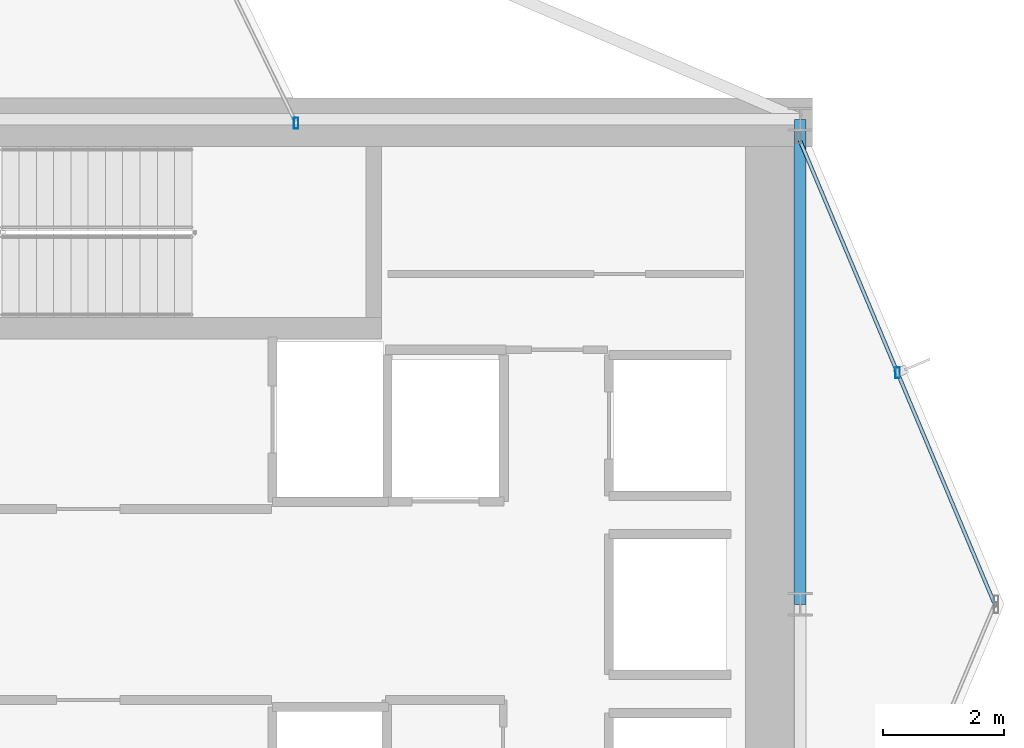
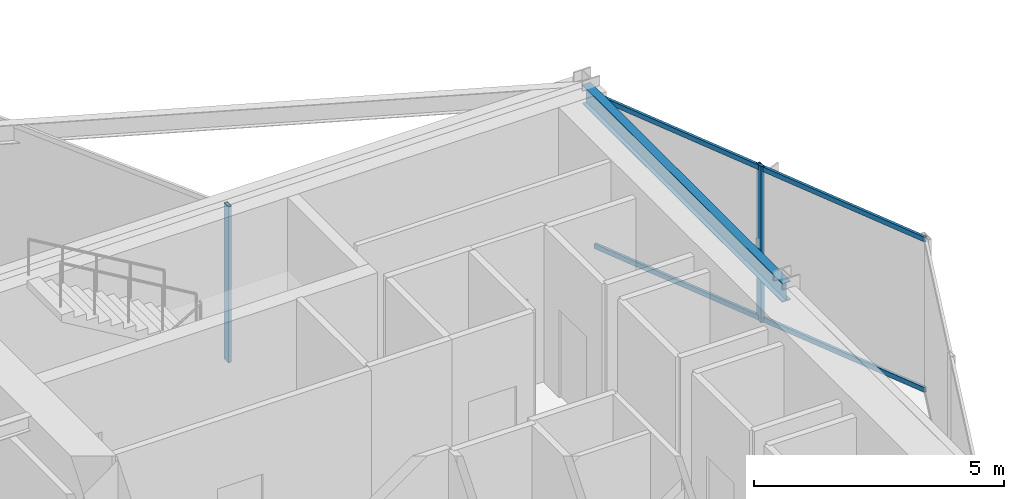
# One storey, part 14 of 25: 4 members, 1 beam, 2 elements without a shape of their own.
"""IFC4 building model written with IfcOpenShell, lengths in metres."""

from ifc_helpers import new_model, si_unit, direction, frame, origin, origin_2d, place, context, subcontext, project, spatial, hollow_rectangle, i_section, extrude, material, layer, layer_set, material_profile, profile_set, type_object, element, aggregate, save


model = new_model("IFC4")

# Units and contexts
model_context = context("Model", 3, precision=1e-05, world=origin(), true_north=direction((0.0, 1.0)))
body_context = subcontext(model_context, "Body", "Model", "MODEL_VIEW")
ifc_project = project(units=[si_unit("LENGTHUNIT", "METRE"), si_unit("AREAUNIT", "SQUARE_METRE"), si_unit("VOLUMEUNIT", "CUBIC_METRE"), si_unit("PLANEANGLEUNIT", "RADIAN"), si_unit("MASSUNIT", "GRAM", prefix="KILO")], contexts=[model_context])

# Site, building, storey
site_placement = place(None, origin())
site = spatial("IfcSite", under=ifc_project, at=site_placement, CompositionType="ELEMENT")
building_placement = place(site_placement, origin())
building = spatial("IfcBuilding", under=site, at=building_placement, Name="Veymaron Broadcast Tower", CompositionType="ELEMENT")
storey_placement = place(building_placement, frame((0.0, 0.0, 116.85009765625)))
storey = spatial("IfcBuildingStorey", under=building, at=storey_placement, Name="L26", CompositionType="ELEMENT", Elevation=116.85009765625)

# Beam
ifc_material_1 = material(Name="Structural steel ASTM A992 Gr 50", Category="steel")
ifc_material_profile_1 = material_profile(ifc_material_1, i_section(OverallWidth=0.19091796875, OverallDepth=0.4599609375, WebThickness=0.010009765625, FlangeThickness=0.01611328125, at=origin_2d()), Name="W460X82")
ifc_profile_set_1 = profile_set([ifc_material_profile_1], Name="Structural steel ASTM A992 Gr 50")
beam_type = type_object("IfcBeamType", Name="BM-SP1", PredefinedType="SPANDREL", material=ifc_profile_set_1)
beam_placement = place(storey_placement, frame((54.60009765625, 24.0, 3.579833984375), z_axis=(0.0, 1.0, 0.0), x_axis=(-1.0, 0.0, 0.0)))
element("IfcBeam", 1, at=beam_placement, inside=storey, type_object=beam_type, Name="L26 primary structural floor girder", PredefinedType="SPANDREL", context=body_context, shape_type="SweptSolid", body=[
    extrude(i_section(OverallWidth=0.19091796875, OverallDepth=0.4599609375, WebThickness=0.010009765625, FlangeThickness=0.01611328125, at=origin_2d()), origin(), (0.0, 0.0, 1.0), 8.0),
])

# Curtain wall, member
ifc_material_2 = material(Name="Anodised aluminium AA 6063-T6 and laminated low-E dark glass", Category="aluminium")
ifc_layer = layer(ifc_material_2, 0.179931640625)
ifc_layer_set = layer_set([ifc_layer], Name="Anodised aluminium AA 6063-T6 and laminated low-E dark glass")
curtain_wall_type = type_object("IfcCurtainWallType", Name="CW-SYS-03", PredefinedType="NOTDEFINED", material=ifc_layer_set)
curtain_wall_1_placement = place(storey_placement, origin())
curtain_wall_1 = element("IfcCurtainWall", 2, at=curtain_wall_1_placement, inside=storey, type_object=curtain_wall_type, Name="L26 dark-glass curtain wall CW-L26-E3-1", PredefinedType="NOTDEFINED")
ifc_material_3 = material(Name="Anodised aluminium AA 6063-T6", Category="aluminium")
ifc_material_profile_2 = material_profile(ifc_material_3, hollow_rectangle(XDim=0.074951171875, YDim=0.179931640625, WallThickness=0.0048828125, at=origin_2d()), Name="AL180X75X5")
ifc_profile_set_2 = profile_set([ifc_material_profile_2], Name="Anodised aluminium AA 6063-T6")
member_type_1 = type_object("IfcMemberType", Name="CW-MUL-02", PredefinedType="MULLION", material=ifc_profile_set_2)
member_1_placement = place(storey_placement, frame((56.203857421875, 27.819580078125, 0.0), z_axis=(0.0, 0.0, 1.0), x_axis=(1.0, 0.0, 0.0)))
member_1 = element("IfcMember", 3, at=member_1_placement, type_object=member_type_1, Name="CW-L26-E3-1 mullion 1", PredefinedType="MULLION", context=body_context, shape_type="SweptSolid", body=[
    extrude(hollow_rectangle(XDim=0.074951171875, YDim=0.179931640625, WallThickness=0.0048828125, at=origin_2d()), origin(), (0.0, 0.0, 1.0), 3.809814453125),
])

curtain_wall_2_placement = place(storey_placement, origin())
curtain_wall_2 = element("IfcCurtainWall", 4, at=curtain_wall_2_placement, inside=storey, type_object=curtain_wall_type, Name="L26 dark-glass curtain wall CW-L26-E5-1", PredefinedType="NOTDEFINED")
member_2_placement = place(storey_placement, frame((46.284423828125, 31.938720703125, 0.0), z_axis=(0.0, 0.0, 1.0), x_axis=(1.0, 0.0, 0.0)))
member_2 = element("IfcMember", 5, at=member_2_placement, type_object=member_type_1, Name="CW-L26-E5-1 mullion 0", PredefinedType="MULLION", context=body_context, shape_type="SweptSolid", body=[
    extrude(hollow_rectangle(XDim=0.074951171875, YDim=0.179931640625, WallThickness=0.0048828125, at=origin_2d()), origin(), (0.0, 0.0, 1.0), 3.809814453125),
])
aggregate(curtain_wall_2, [member_2])

# Member
ifc_material_profile_3 = material_profile(ifc_material_3, hollow_rectangle(XDim=0.06005859375, YDim=0.1201171875, WallThickness=0.00390625, at=origin_2d()), Name="AL120X60X4")
ifc_profile_set_3 = profile_set([ifc_material_profile_3], Name="Anodised aluminium AA 6063-T6")
member_type_2 = type_object("IfcMemberType", Name="CW-TRN-02", PredefinedType="USERDEFINED", material=ifc_profile_set_3)
member_3_placement = place(storey_placement, frame((57.8115234375, 23.991943359375, 0.06982421875), z_axis=(-0.387223486805, 0.921985884527, 0.0), x_axis=(-0.921985884527, -0.387223486805, 0.0)))
member_3 = element("IfcMember", 6, at=member_3_placement, type_object=member_type_2, Name="CW-L26-E3-1 transom B", ObjectType="TRANSOM", PredefinedType="USERDEFINED", context=body_context, shape_type="SweptSolid", body=[
    extrude(hollow_rectangle(XDim=0.06005859375, YDim=0.1201171875, WallThickness=0.00390625, at=origin_2d()), origin(), (0.0, 0.0, 1.0), 8.303466796875),
])

member_4_placement = place(storey_placement, frame((57.8115234375, 23.991943359375, 3.739990234375), z_axis=(-0.387223486805, 0.921985884527, 0.0), x_axis=(-0.921985884527, -0.387223486805, 0.0)))
member_4 = element("IfcMember", 7, at=member_4_placement, type_object=member_type_2, Name="CW-L26-E3-1 transom T", ObjectType="TRANSOM", PredefinedType="USERDEFINED", context=body_context, shape_type="SweptSolid", body=[
    extrude(hollow_rectangle(XDim=0.06005859375, YDim=0.1201171875, WallThickness=0.00390625, at=origin_2d()), origin(), (0.0, 0.0, 1.0), 8.303466796875),
])

aggregate(curtain_wall_1, [member_1, member_3, member_4])

save(model, "model.ifc")
